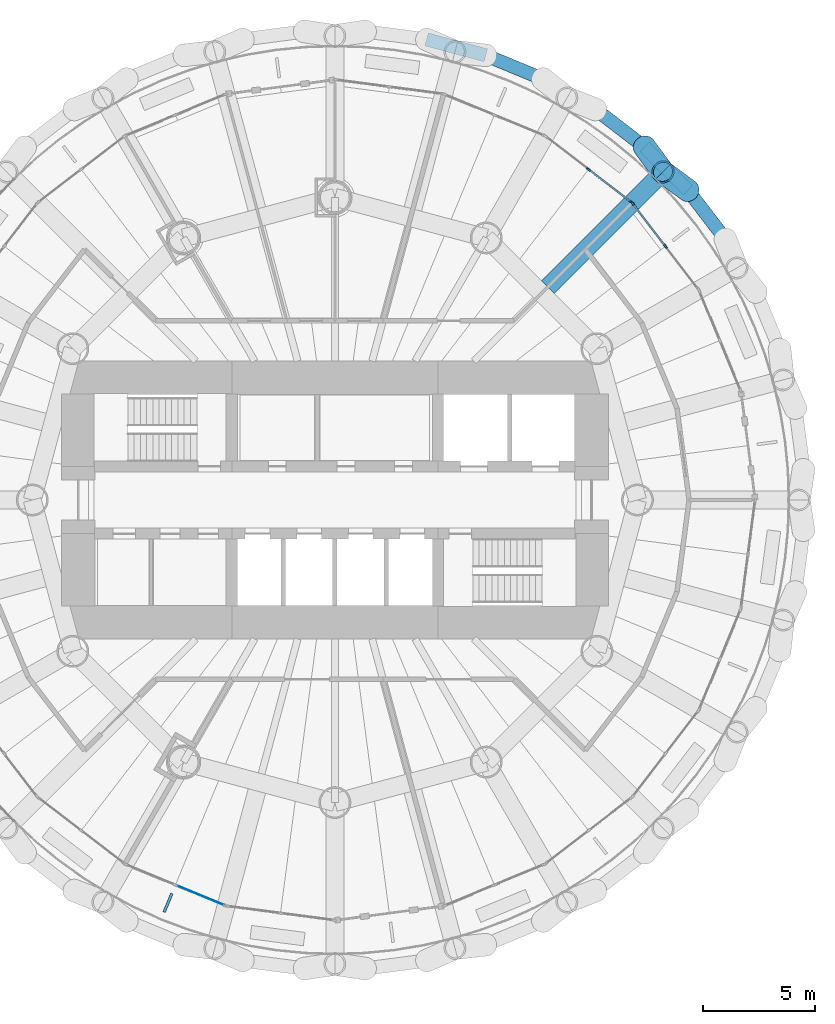
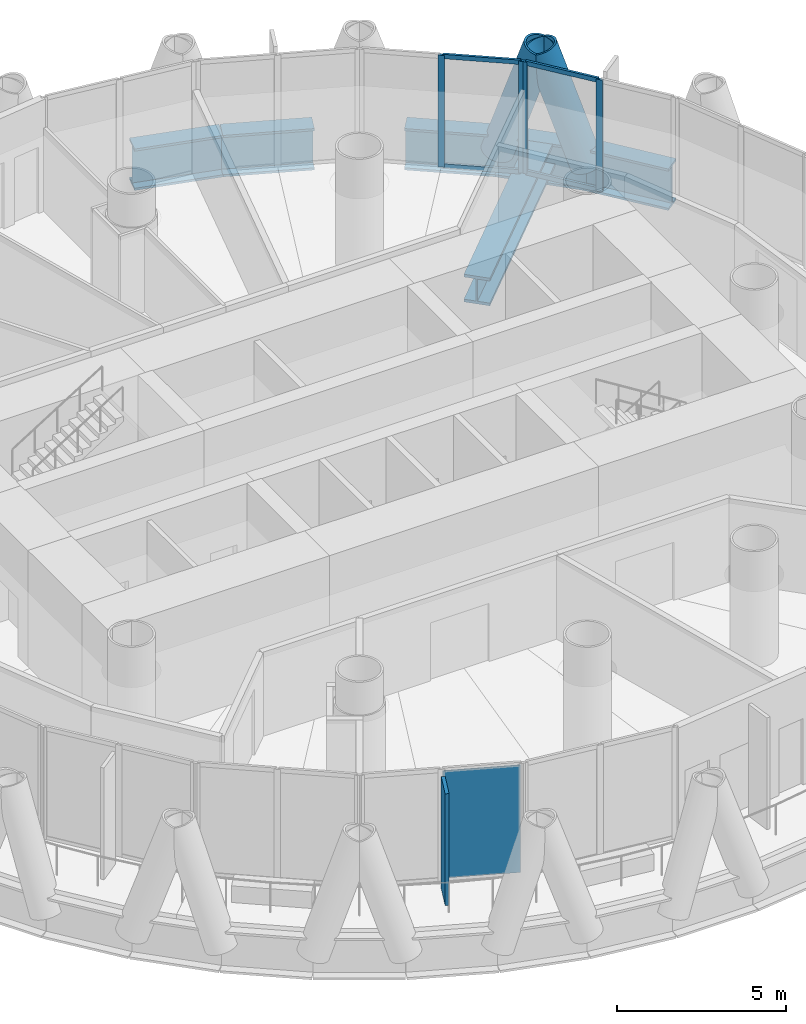
# One storey, part 6 of 15: 10 members, 6 beams, 2 plates, 3 elements without a shape of their own.
"""IFC4 building model written with IfcOpenShell, lengths in metres."""

from ifc_helpers import new_model, si_unit, direction, frame, origin, origin_2d, place, context, subcontext, project, spatial, rectangle, hollow_circle, i_section, extrude, material, layer, layer_set, material_profile, profile_set, type_object, element, aggregate, save


model = new_model("IFC4")

# Units and contexts
model_context = context("Model", 3, precision=1e-05, world=origin(), true_north=direction((0.0, 1.0)))
body_context = subcontext(model_context, "Body", "Model", "MODEL_VIEW")
ifc_project = project(units=[si_unit("LENGTHUNIT", "METRE"), si_unit("AREAUNIT", "SQUARE_METRE"), si_unit("VOLUMEUNIT", "CUBIC_METRE"), si_unit("PLANEANGLEUNIT", "RADIAN"), si_unit("MASSUNIT", "GRAM", prefix="KILO")], contexts=[model_context])

# Site, building, storey
site_placement = place(None, origin())
site = spatial("IfcSite", under=ifc_project, at=site_placement, CompositionType="ELEMENT")
building_placement = place(site_placement, origin())
building = spatial("IfcBuilding", under=site, at=building_placement, Name="Qaws Media Tower", CompositionType="ELEMENT")
storey_placement = place(building_placement, frame((0.0, 0.0, 273.800048828125)))
storey = spatial("IfcBuildingStorey", under=building, at=storey_placement, Name="L63", CompositionType="ELEMENT", Elevation=273.800048828125)

# Curtain wall, members
ifc_material_1 = material(Name="Aluminium and clear glass", Category="aluminium")
curtain_wall_type = type_object("IfcCurtainWallType", Name="Unitised curtain wall CW-D", PredefinedType="NOTDEFINED", material=ifc_material_1)
curtain_wall_1_placement = place(storey_placement, origin())
curtain_wall_1 = element("IfcCurtainWall", 1, at=curtain_wall_1_placement, inside=storey, type_object=curtain_wall_type, Name="CWD curtain wall L63-03", PredefinedType="NOTDEFINED")
ifc_material_2 = material(Name="Aluminium mullion", Category="aluminium")
ifc_material_profile_1 = material_profile(ifc_material_2, rectangle(XDim=0.080078125, YDim=0.199951171875, at=origin_2d()), Name="80x200")
ifc_profile_set_1 = profile_set([ifc_material_profile_1], Name="Aluminium mullion")
member_type_1 = type_object("IfcMemberType", Name="Curtain wall mullion 80x200", PredefinedType="MULLION", material=ifc_profile_set_1)
member_1_placement = place(storey_placement, frame((74.748046875, 61.316650390625, 0.0), z_axis=(0.0, 0.0, 1.0), x_axis=(-0.793353346284, -0.608761421199, 0.0)))
member_1 = element("IfcMember", 2, at=member_1_placement, type_object=member_type_1, Name="CWD mullion 2", PredefinedType="MULLION", context=body_context, shape_type="SweptSolid", body=[
    extrude(rectangle(XDim=0.080078125, YDim=0.199951171875, at=origin_2d()), origin(), (0.0, 0.0, 1.0), 4.0400390625),
])
member_2_placement = place(storey_placement, frame((73.28271484375, 63.2265625, 0.0), z_axis=(0.0, 0.0, 1.0), x_axis=(-0.793353346284, -0.608761421199, 0.0)))
member_2 = element("IfcMember", 3, at=member_2_placement, type_object=member_type_1, Name="CWD mullion 3", PredefinedType="MULLION", context=body_context, shape_type="SweptSolid", body=[
    extrude(rectangle(XDim=0.080078125, YDim=0.199951171875, at=origin_2d()), origin(), (0.0, 0.0, 1.0), 4.0400390625),
])

curtain_wall_2_placement = place(storey_placement, origin())
curtain_wall_2 = element("IfcCurtainWall", 4, at=curtain_wall_2_placement, inside=storey, type_object=curtain_wall_type, Name="CWD curtain wall L63-04", PredefinedType="NOTDEFINED")
member_3_placement = place(storey_placement, frame((73.2265625, 63.28271484375, 0.0), z_axis=(0.0, 0.0, 1.0), x_axis=(-0.608761421199, -0.793353346284, 0.0)))
member_3 = element("IfcMember", 5, at=member_3_placement, type_object=member_type_1, Name="CWD mullion 1", PredefinedType="MULLION", context=body_context, shape_type="SweptSolid", body=[
    extrude(rectangle(XDim=0.080078125, YDim=0.199951171875, at=origin_2d()), origin(), (0.0, 0.0, 1.0), 4.0400390625),
])
member_4_placement = place(storey_placement, frame((71.316650390625, 64.748046875, 0.0), z_axis=(0.0, 0.0, 1.0), x_axis=(-0.608761421199, -0.793353346284, 0.0)))
member_4 = element("IfcMember", 6, at=member_4_placement, type_object=member_type_1, Name="CWD mullion 2", PredefinedType="MULLION", context=body_context, shape_type="SweptSolid", body=[
    extrude(rectangle(XDim=0.080078125, YDim=0.199951171875, at=origin_2d()), origin(), (0.0, 0.0, 1.0), 4.0400390625),
])

# Member
ifc_material_3 = material(Name="Aluminium transom", Category="aluminium")
ifc_material_profile_2 = material_profile(ifc_material_3, rectangle(XDim=0.080078125, YDim=0.159912109375, at=origin_2d()), Name="80x160")
ifc_profile_set_2 = profile_set([ifc_material_profile_2], Name="Aluminium transom")
member_type_2 = type_object("IfcMemberType", Name="Curtain wall transom 80x160", PredefinedType="USERDEFINED", material=ifc_profile_set_2)
member_5_placement = place(storey_placement, frame((74.723876953125, 61.348388671875, 0.0400390625), z_axis=(-0.608808038567, 0.793317573344, 0.0), x_axis=(-0.793317573344, -0.608808038567, 0.0)))
member_5 = element("IfcMember", 7, at=member_5_placement, type_object=member_type_2, Name="CWD transom 2.1", ObjectType="TRANSOM", PredefinedType="USERDEFINED", context=body_context, shape_type="SweptSolid", body=[
    extrude(rectangle(XDim=0.080078125, YDim=0.159912109375, at=origin_2d()), origin(), (0.0, 0.0, 1.0), 2.327392578125),
])

member_6_placement = place(storey_placement, frame((74.723876953125, 61.348388671875, 4.0), z_axis=(-0.608808038567, 0.793317573344, 0.0), x_axis=(-0.793317573344, -0.608808038567, 0.0)))
member_6 = element("IfcMember", 8, at=member_6_placement, type_object=member_type_2, Name="CWD transom 2.2", ObjectType="TRANSOM", PredefinedType="USERDEFINED", context=body_context, shape_type="SweptSolid", body=[
    extrude(rectangle(XDim=0.080078125, YDim=0.159912109375, at=origin_2d()), origin(), (0.0, 0.0, 1.0), 2.327392578125),
])

aggregate(curtain_wall_1, [member_1, member_2, member_5, member_6])

member_7_placement = place(storey_placement, frame((73.19482421875, 63.306884765625, 0.0400390625), z_axis=(-0.793317573344, 0.608808038567, 0.0), x_axis=(-0.608808038567, -0.793317573344, 0.0)))
member_7 = element("IfcMember", 9, at=member_7_placement, type_object=member_type_2, Name="CWD transom 1.1", ObjectType="TRANSOM", PredefinedType="USERDEFINED", context=body_context, shape_type="SweptSolid", body=[
    extrude(rectangle(XDim=0.080078125, YDim=0.159912109375, at=origin_2d()), origin(), (0.0, 0.0, 1.0), 2.327392578125),
])

member_8_placement = place(storey_placement, frame((73.19482421875, 63.306884765625, 4.0), z_axis=(-0.793317573344, 0.608808038567, 0.0), x_axis=(-0.608808038567, -0.793317573344, 0.0)))
member_8 = element("IfcMember", 10, at=member_8_placement, type_object=member_type_2, Name="CWD transom 1.2", ObjectType="TRANSOM", PredefinedType="USERDEFINED", context=body_context, shape_type="SweptSolid", body=[
    extrude(rectangle(XDim=0.080078125, YDim=0.159912109375, at=origin_2d()), origin(), (0.0, 0.0, 1.0), 2.327392578125),
])

aggregate(curtain_wall_2, [member_3, member_4, member_7, member_8])

# Members
ifc_material_4 = material(Name="Steel S460", Category="steel")
ifc_material_profile_3 = material_profile(ifc_material_4, hollow_circle(Radius=0.508056640625, WallThickness=0.070068359375, at=origin_2d()), Name="CHS 1016x70")
ifc_profile_set_3 = profile_set([ifc_material_profile_3], Name="Steel S460")
member_type_3 = type_object("IfcMemberType", Name="Diagrid member CHS 1016x70", PredefinedType="USERDEFINED", material=ifc_profile_set_3)
for number, where, z_axis, x_axis, name in (
    (11, (75.7509765625, 63.813232421875, -0.91015625), (-0.251825189458, 0.186302063661, 0.949671319473), (-0.594742798102, -0.803916042946, 0.0), "DG3 diagrid L63 A03"),
    (12, (73.813232421875, 65.7509765625, -0.91015625), (0.186302063661, -0.251825189458, 0.949671319473), (0.803916042946, 0.594742798102, 0.0), "DG3 diagrid L63 B04"),
):
    element("IfcMember", number, at=place(storey_placement, frame(where, z_axis=z_axis, x_axis=x_axis)), inside=storey, type_object=member_type_3, Name=name, ObjectType="DIAGRID", PredefinedType="USERDEFINED", context=body_context, shape_type="SweptSolid", body=[
        extrude(hollow_circle(Radius=0.508056640625, WallThickness=0.070068359375, at=origin_2d()), origin(), (0.0, 0.0, 1.0), 4.4228515625),
    ])

# Beams
ifc_material_5 = material(Name="Steel S460", Category="steel")
ifc_material_profile_4 = material_profile(ifc_material_5, i_section(OverallWidth=0.60009765625, OverallDepth=1.5, WebThickness=0.030029296875, FlangeThickness=0.080078125, at=origin_2d()), Name="PG 1500x600")
ifc_profile_set_4 = profile_set([ifc_material_profile_4], Name="Steel S460")
beam_type_1 = type_object("IfcBeamType", Name="Edge ring beam PG 1500x600", PredefinedType="BEAM", material=ifc_profile_set_4)
beam_1_placement = place(storey_placement, frame((77.419189453125, 61.63916015625, -0.91015625), z_axis=(-0.608758803141, 0.793355355184, 0.0), x_axis=(-0.793355355184, -0.608758803141, 0.0)))
element("IfcBeam", 13, at=beam_1_placement, inside=storey, type_object=beam_type_1, Name="RB5 edge ring beam L63-05", PredefinedType="BEAM", context=body_context, shape_type="SweptSolid", body=[
    extrude(i_section(OverallWidth=0.60009765625, OverallDepth=1.5, WebThickness=0.030029296875, FlangeThickness=0.080078125, at=origin_2d()), origin(), (0.0, 0.0, 1.0), 2.740234375),
])
beam_2_placement = place(storey_placement, frame((75.7509765625, 63.813232421875, -0.91015625), z_axis=(-0.707106781187, 0.707106781187, 0.0), x_axis=(-0.707106781187, -0.707106781187, 0.0)))
element("IfcBeam", 14, at=beam_2_placement, inside=storey, type_object=beam_type_1, Name="RB5 edge ring beam L63-06", PredefinedType="BEAM", context=body_context, shape_type="SweptSolid", body=[
    extrude(i_section(OverallWidth=0.60009765625, OverallDepth=1.5, WebThickness=0.030029296875, FlangeThickness=0.080078125, at=origin_2d()), origin(), (0.0, 0.0, 1.0), 2.740478515625),
])
for number, where, z_axis, x_axis, name in (
    (15, (73.813232421875, 65.7509765625, -0.91015625), (-0.793355355184, 0.608758803141, 0.0), (-0.608758803141, -0.793355355184, 0.0), "RB5 edge ring beam L63-07"),
    (16, (69.265869140625, 68.78955078125, -0.91015625), (-0.923891962865, 0.382653421457, 0.0), (-0.382653421457, -0.923891962865, 0.0), "RB5 edge ring beam L63-09"),
    (17, (66.734130859375, 69.838134765625, -0.91015625), (-0.965928168112, 0.258810305143, 0.0), (-0.258810305143, -0.965928168112, 0.0), "RB5 edge ring beam L63-10"),
):
    element("IfcBeam", number, at=place(storey_placement, frame(where, z_axis=z_axis, x_axis=x_axis)), inside=storey, type_object=beam_type_1, Name=name, PredefinedType="BEAM", context=body_context, shape_type="SweptSolid", body=[
        extrude(i_section(OverallWidth=0.60009765625, OverallDepth=1.5, WebThickness=0.030029296875, FlangeThickness=0.080078125, at=origin_2d()), origin(), (0.0, 0.0, 1.0), 2.740234375),
    ])
ifc_material_6 = material(Name="Steel S460", Category="steel")
ifc_material_profile_5 = material_profile(ifc_material_6, i_section(OverallWidth=0.800048828125, OverallDepth=1.0, WebThickness=0.0400390625, FlangeThickness=0.10009765625, at=origin_2d()), Name="PG 1000x800")
ifc_profile_set_5 = profile_set([ifc_material_profile_5], Name="Steel S460")
beam_type_2 = type_object("IfcBeamType", Name="Radial girder PG 1000x800", PredefinedType="BEAM", material=ifc_profile_set_5)
beam_3_placement = place(storey_placement, frame((69.50341796875, 59.50341796875, -0.66015625), z_axis=(0.707106781187, 0.707106781187, 0.0), x_axis=(-0.707106781187, 0.707106781187, 0.0)))
element("IfcBeam", 18, at=beam_3_placement, inside=storey, type_object=beam_type_2, Name="B1 radial beam L63 04", PredefinedType="BEAM", context=body_context, shape_type="SweptSolid", body=[
    extrude(i_section(OverallWidth=0.800048828125, OverallDepth=1.0, WebThickness=0.0400390625, FlangeThickness=0.10009765625, at=origin_2d()), origin(), (0.0, 0.0, 1.0), 7.46533203125),
])

# Curtain wall, plate
curtain_wall_3_placement = place(storey_placement, origin())
curtain_wall_3 = element("IfcCurtainWall", 19, at=curtain_wall_3_placement, inside=storey, type_object=curtain_wall_type, Name="CWD curtain wall L63-17", PredefinedType="NOTDEFINED")
ifc_material_7 = material(Name="Clear laminated double glazing", Category="glass")
ifc_layer_1 = layer(ifc_material_7, 0.031982421875)
ifc_layer_set_1 = layer_set([ifc_layer_1], Name="Curtain wall glass unit 32")
plate_type_1 = type_object("IfcPlateType", Name="Curtain wall glass unit 32", PredefinedType="CURTAIN_PANEL", material=ifc_layer_set_1)
plate_1_placement = place(storey_placement, frame((53.998046875, 32.36474609375, 0.080078125), z_axis=(0.0, 0.0, 1.0), x_axis=(0.923879529739, -0.382683439057, 0.0)))
plate_1 = element("IfcPlate", 20, at=plate_1_placement, type_object=plate_type_1, Name="CWD panel 2.1", PredefinedType="CURTAIN_PANEL", context=body_context, shape_type="SweptSolid", body=[
    extrude(rectangle(XDim=2.327392578125, YDim=0.031982421875, at=origin_2d()), origin(), (0.0, 0.0, 1.0), 3.8798828125),
])
aggregate(curtain_wall_3, [plate_1])

# Plate
ifc_material_8 = material(Name="Precast concrete screen fin", Category="concrete")
ifc_layer_2 = layer(ifc_material_8, 0.1201171875)
ifc_layer_set_2 = layer_set([ifc_layer_2], Name="Screen fin 120x900")
plate_type_2 = type_object("IfcPlateType", Name="Screen fin 120x900", PredefinedType="USERDEFINED", material=ifc_layer_set_2)
plate_2_placement = place(storey_placement, frame((52.556884765625, 32.030517578125, 0.0), z_axis=(0.0, 0.0, 1.0), x_axis=(-0.382683432365, -0.923879532511, 0.0)))
element("IfcPlate", 21, at=plate_2_placement, inside=storey, type_object=plate_type_2, Name="SCR1 screen fin L63-09", ObjectType="SCREEN", PredefinedType="USERDEFINED", context=body_context, shape_type="SweptSolid", body=[
    extrude(rectangle(XDim=0.89990234375, YDim=0.1201171875, at=origin_2d()), origin(), (0.0, 0.0, 1.0), 4.0400390625),
])

save(model, "model.ifc")
